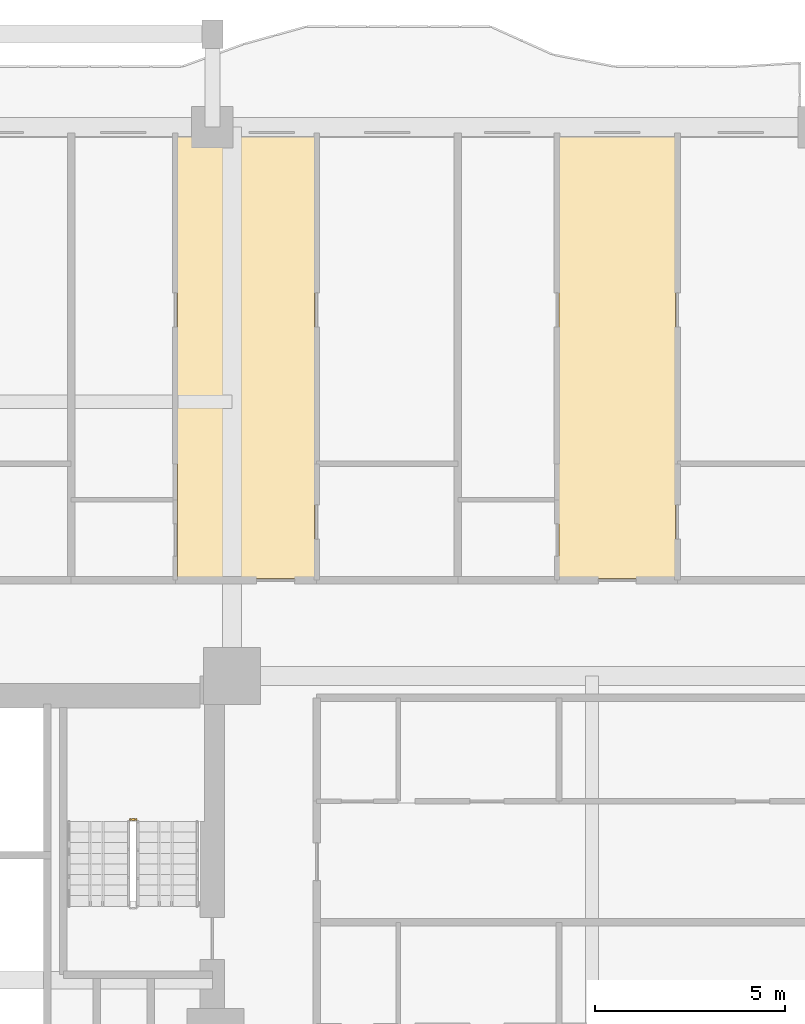
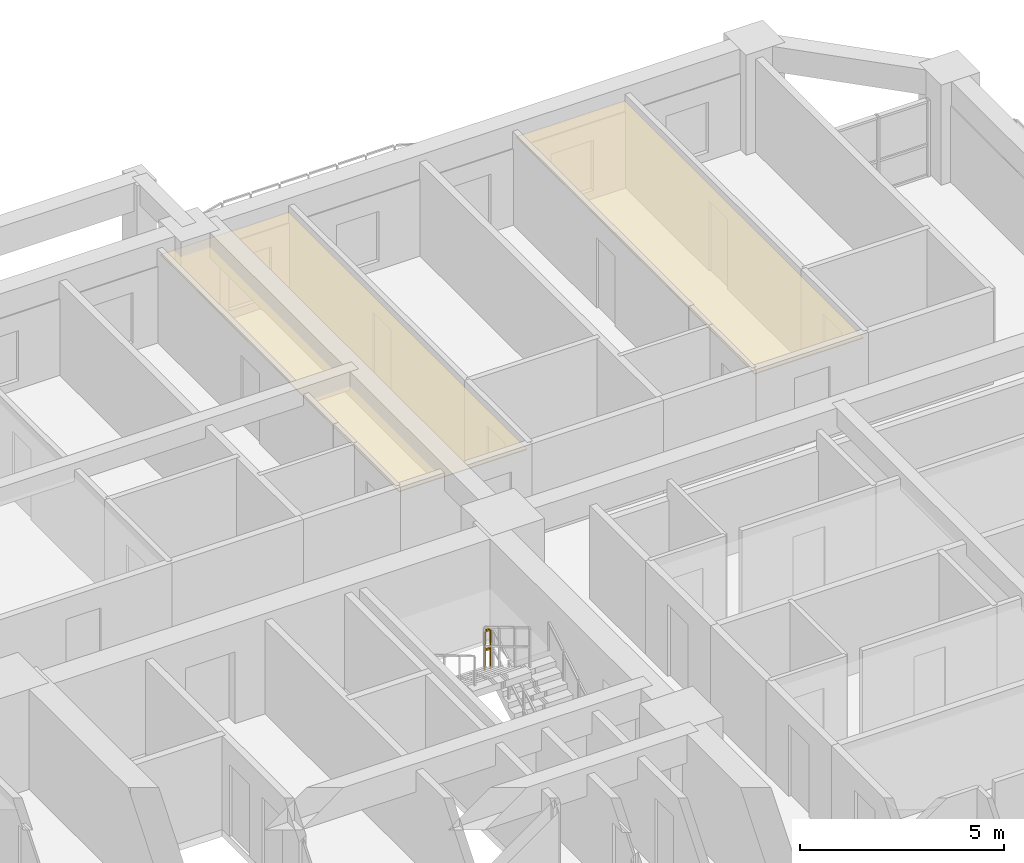
# One storey, part 27 of 27: 2 coverings, 1 railing.
"""IFC4 building model written with IfcOpenShell, lengths in metres."""

import ifcopenshell
import ifcopenshell.guid

model = None  # the IFC model being written
_history = None  # IfcOwnerHistory: only IFC2X3 demands one
_inside = {}  # id of a spatial element -> (the spatial element, [elements in it])
_under = {}  # id of a project, library or spatial element -> (it, [spatial elements below it])
_declared = {}  # id of a project -> (the project, [libraries it declares])
_typed = {}  # id of a type object -> (the type object, [elements of that type])
_made_of = {}  # id of a material, layer set ... -> (it, [elements and type objects made of it])


def new_model(schema):
    """Start an empty IFC model of exactly this schema.

    Asked for "IFC4X3", IfcOpenShell would pick the latest addendum, in which some entities
    have other attributes; the version numbers below select the first issue.
    IFC2X3 requires an IfcOwnerHistory on every rooted entity: one is made here for all.
    """
    global model, _history
    if schema == "IFC4X3":
        model = ifcopenshell.file(schema_version=(4, 3, 0, 0))
    else:
        model = ifcopenshell.file(schema=schema)
    _inside.clear()
    _under.clear()
    _declared.clear()
    _typed.clear()
    _made_of.clear()
    _history = None
    if model.schema == "IFC2X3":
        org = make("IfcOrganization", Name="unknown")
        user = make(
            "IfcPersonAndOrganization",
            ThePerson=make("IfcPerson", FamilyName="unknown"),
            TheOrganization=org,
        )
        app = make(
            "IfcApplication",
            ApplicationDeveloper=org,
            Version="unknown",
            ApplicationFullName="unknown",
            ApplicationIdentifier="unknown",
        )
        _history = make(
            "IfcOwnerHistory",
            OwningUser=user,
            OwningApplication=app,
            ChangeAction="ADDED",
            CreationDate=0,
        )
    return model


def make(cls, **values):
    """One entity of the class cls with the attributes given. An attribute that is None is left unset."""
    return model.create_entity(
        cls, **{name: value for name, value in values.items() if value is not None}
    )


def rooted(cls, **values):
    """An entity with a GlobalId (a new one), such as an element, a storey or a relation."""
    return make(cls, GlobalId=ifcopenshell.guid.new(), OwnerHistory=_history, **values)


def si_unit(unit_type, name, prefix=None):
    """IfcSIUnit, for example si_unit("LENGTHUNIT", "METRE", prefix="MILLI")."""
    return make("IfcSIUnit", UnitType=unit_type, Prefix=prefix, Name=name)


def assignment(units):
    """IfcUnitAssignment: the units of a project."""
    return None if units is None else make("IfcUnitAssignment", Units=units)


def point(xyz):
    """IfcCartesianPoint."""
    return None if xyz is None else make("IfcCartesianPoint", Coordinates=xyz)


def direction(xyz):
    """IfcDirection."""
    return None if xyz is None else make("IfcDirection", DirectionRatios=xyz)


def frame(location, z_axis=None, x_axis=None):
    """IfcAxis2Placement3D, a coordinate frame: its origin and axes. An axis left out is left unset."""
    return make(
        "IfcAxis2Placement3D",
        Location=point(location),
        Axis=direction(z_axis),
        RefDirection=direction(x_axis),
    )


def frame_2d(location, x_axis=None):
    """IfcAxis2Placement2D, a coordinate frame in the plane: its origin and x axis."""
    return make(
        "IfcAxis2Placement2D", Location=point(location), RefDirection=direction(x_axis)
    )


def origin():
    """The frame at (0, 0, 0) with its axes left unset."""
    return frame((0.0, 0.0, 0.0))


def origin_2d():
    """The frame at (0, 0) in the plane with its x axis left unset."""
    return frame_2d((0.0, 0.0))


def place(relative_to, where):
    """IfcLocalPlacement: puts the frame where relative to a parent placement (None: the world)."""
    return make(
        "IfcLocalPlacement", PlacementRelTo=relative_to, RelativePlacement=where
    )


def context(
    kind, dimensions, precision=None, world=None, true_north=None, identifier=None
):
    """IfcGeometricRepresentationContext, for example the 3D "Model" context."""
    return make(
        "IfcGeometricRepresentationContext",
        ContextIdentifier=identifier,
        ContextType=kind,
        CoordinateSpaceDimension=dimensions,
        Precision=precision,
        WorldCoordinateSystem=world,
        TrueNorth=true_north,
    )


def subcontext(parent, identifier, kind, view, scale=None):
    """IfcGeometricRepresentationSubContext, for example "Body" below "Model"."""
    return make(
        "IfcGeometricRepresentationSubContext",
        ContextIdentifier=identifier,
        ContextType=kind,
        ParentContext=parent,
        TargetScale=scale,
        TargetView=view,
    )


def project(units=None, contexts=None):
    """IfcProject with its units and contexts."""
    return rooted(
        "IfcProject",
        Name="project",
        RepresentationContexts=contexts,
        UnitsInContext=assignment(units),
    )


def spatial(cls, under=None, at=None, **own):
    """A site, building, storey or space (cls), placed at a placement, below another one or the project."""
    s = rooted(cls, ObjectPlacement=at, **own)
    if under is not None:
        _under.setdefault(under.id(), (under, []))[1].append(s)
    return s


def polyline(points):
    """IfcPolyline through the points."""
    return make("IfcPolyline", Points=[point(p) for p in points])


def profile(cls, at=None, kind="AREA", **sizes):
    """A parametric profile (cls). Its sizes go by their IFC names, for example OverallWidth=200.0."""
    return make(cls, ProfileType=kind, Position=at, **sizes)


def rectangle(**sizes):
    """IfcRectangleProfileDef."""
    return profile("IfcRectangleProfileDef", **sizes)


def outline(outer, holes=None, kind="AREA"):
    """IfcArbitraryClosedProfileDef: a profile drawn as a closed curve; with holes, ...WithVoids."""
    if holes is None:
        return make("IfcArbitraryClosedProfileDef", ProfileType=kind, OuterCurve=outer)
    return make(
        "IfcArbitraryProfileDefWithVoids",
        ProfileType=kind,
        OuterCurve=outer,
        InnerCurves=holes,
    )


def extrude(swept, where, along, depth):
    """IfcExtrudedAreaSolid: the profile swept, set in the frame where, extruded along a direction by depth."""
    return make(
        "IfcExtrudedAreaSolid",
        SweptArea=swept,
        Position=where,
        ExtrudedDirection=direction(along),
        Depth=depth,
    )


def shape(context_of_items, identifier, shape_type, items):
    """IfcShapeRepresentation: the items that make up one representation, for example the "Body"."""
    return make(
        "IfcShapeRepresentation",
        ContextOfItems=context_of_items,
        RepresentationIdentifier=identifier,
        RepresentationType=shape_type,
        Items=items,
    )


def material(Name=None, Category=None):
    """IfcMaterial."""
    return make("IfcMaterial", Name=Name, Category=Category)


def layer(
    of_material, thickness, ventilated=None, Name=None, Category=None, Priority=None
):
    """IfcMaterialLayer: one layer of a wall or slab, of a material (None: an air gap)."""
    return make(
        "IfcMaterialLayer",
        Material=of_material,
        LayerThickness=thickness,
        IsVentilated=ventilated,
        Name=Name,
        Category=Category,
        Priority=Priority,
    )


def layer_set(layers, Name=None):
    """IfcMaterialLayerSet."""
    return make("IfcMaterialLayerSet", MaterialLayers=layers, LayerSetName=Name)


def made_of(thing, what):
    """Note that an element or type object is made of a material, layer set ...; save() writes the relation."""
    if what is not None:
        _made_of.setdefault(what.id(), (what, []))[1].append(thing)
    return thing


def type_object(cls, material=None, **own):
    """A type object (cls), such as IfcWallType, which elements share."""
    return made_of(rooted(cls, **own), material)


def element(
    cls,
    number,
    at=None,
    inside=None,
    cuts=None,
    type_object=None,
    material=None,
    context=None,
    identifier="Body",
    shape_type=None,
    held_by="IfcProductDefinitionShape",
    body=None,
    shapes=None,
    **own,
):
    """One element of the class cls, such as IfcWall. Its Tag is "e" and its number.

    at: its placement. inside: the storey or other place that contains it. cuts: it is an
    opening in that element (IfcRelVoidsElement). A single representation is given by context,
    identifier, shape_type and body (its items); several are given by shapes. held_by: the class
    of the entity that holds the representations. save() writes the other relations.
    """
    e = rooted(cls, Tag="e%d" % number, ObjectPlacement=at, **own)
    if body is not None:
        shapes = [shape(context, identifier, shape_type, body)]
    if shapes is not None:
        e.Representation = make(held_by, Representations=shapes)
    if inside is not None:
        _inside.setdefault(inside.id(), (inside, []))[1].append(e)
    if cuts is not None:
        rooted(
            "IfcRelVoidsElement", RelatingBuildingElement=cuts, RelatedOpeningElement=e
        )
    if type_object is not None:
        _typed.setdefault(type_object.id(), (type_object, []))[1].append(e)
    return made_of(e, material)


def aggregate(whole, parts):
    """IfcRelAggregates: a whole, such as a stair, and the parts it consists of."""
    return rooted("IfcRelAggregates", RelatingObject=whole, RelatedObjects=parts)


def save(model, path):
    """Write the relations noted so far, then the file.

    IfcRelAggregates (storeys below a building ...), IfcRelContainedInSpatialStructure (elements
    in a storey), IfcRelDefinesByType, IfcRelAssociatesMaterial and IfcRelDeclares: one each for
    every whole, place, type object, material and project.
    """
    for whole, parts in _under.values():
        aggregate(whole, parts)
    for where, things in _inside.values():
        rooted(
            "IfcRelContainedInSpatialStructure",
            RelatedElements=things,
            RelatingStructure=where,
        )
    for kind, things in _typed.values():
        rooted("IfcRelDefinesByType", RelatedObjects=things, RelatingType=kind)
    for what, things in _made_of.values():
        rooted("IfcRelAssociatesMaterial", RelatedObjects=things, RelatingMaterial=what)
    for by, libraries in _declared.values():
        rooted("IfcRelDeclares", RelatingContext=by, RelatedDefinitions=libraries)
    model.write(path)


model = new_model("IFC4")

# Units and contexts
model_context = context("Model", 3, precision=1e-05, world=origin(), true_north=direction((0.0, 1.0)))
body_context = subcontext(model_context, "Body", "Model", "MODEL_VIEW")
ifc_project = project(units=[si_unit("LENGTHUNIT", "METRE"), si_unit("AREAUNIT", "SQUARE_METRE"), si_unit("VOLUMEUNIT", "CUBIC_METRE"), si_unit("PLANEANGLEUNIT", "RADIAN"), si_unit("MASSUNIT", "GRAM", prefix="KILO")], contexts=[model_context])

# Site, building, storey
site_placement = place(None, origin())
site = spatial("IfcSite", under=ifc_project, at=site_placement, CompositionType="ELEMENT")
building_placement = place(site_placement, origin())
building = spatial("IfcBuilding", under=site, at=building_placement, Name="Saelheon Loggia Tower", CompositionType="ELEMENT")
storey_placement = place(building_placement, frame((0.0, 0.0, 43.39990234375)))
storey = spatial("IfcBuildingStorey", under=building, at=storey_placement, Name="L13", CompositionType="ELEMENT", Elevation=43.39990234375)

# Coverings
ifc_material_1 = material(Name="Mineral-Fibre Acoustic Ceiling Board", Category="gypsum")
ifc_layer = layer(ifc_material_1, 0.02490234375)
ifc_layer_set = layer_set([ifc_layer], Name="Mineral-Fibre Acoustic Ceiling Board")
covering_type = type_object("IfcCoveringType", Name="Cov_Ceiling_Acoustic", PredefinedType="CEILING", material=ifc_layer_set)
covering_1_placement = place(storey_placement, frame((0.0, 0.0, 2.53515625)))
element("IfcCovering", 1, at=covering_1_placement, inside=storey, type_object=covering_type, Name="L13 Acoustic Suspended Ceiling", PredefinedType="CEILING", context=body_context, shape_type="SweptSolid", body=[
    extrude(outline(polyline([(43.57470703125, 39.10009765625), (47.199462890625, 39.10009765625), (47.199462890625, 50.800048828125), (43.57470703125, 50.800048828125), (43.57470703125, 39.10009765625)])), origin(), (0.0, 0.0, 1.0), 0.02490234375),
])
covering_2_placement = place(storey_placement, frame((0.0, 0.0, 2.53515625)))
element("IfcCovering", 2, at=covering_2_placement, inside=storey, type_object=covering_type, Name="L13 Acoustic Suspended Ceiling", PredefinedType="CEILING", context=body_context, shape_type="SweptSolid", body=[
    extrude(outline(polyline([(53.6396484375, 39.10009765625), (56.7177734375, 39.10009765625), (56.7177734375, 50.800048828125), (53.6396484375, 50.800048828125), (53.6396484375, 39.10009765625)])), origin(), (0.0, 0.0, 1.0), 0.02490234375),
])

# Railing
ifc_material_2 = material(Name="Galvanised Steel S275 Stairwell Guardrail", Category="steel")
railing_type = type_object("IfcRailingType", Name="Guard_StairWell_RL_STG", PredefinedType="GUARDRAIL", material=ifc_material_2)
railing_placement = place(storey_placement, frame((42.489990234375, 32.739990234375, 1.5)))
element("IfcRailing", 3, at=railing_placement, inside=storey, type_object=railing_type, Name="L13 ST2 stair guard 2", PredefinedType="GUARDRAIL", context=body_context, shape_type="SweptSolid", body=[
    extrude(rectangle(XDim=0.048095703125, YDim=0.048095703125, at=origin_2d()), frame((-0.033203125, 0.0, 1.17578125), z_axis=(-1.0, 0.0, 0.0), x_axis=(0.0, -1.0, 0.0)), (0.0, 0.0, 1.0), 0.093505859375),
    extrude(rectangle(XDim=0.048095703125, YDim=0.048095703125, at=origin_2d()), frame((-0.033203125, 0.0, 0.60009765625), z_axis=(-1.0, 0.0, 0.0), x_axis=(0.0, -1.0, 0.0)), (0.0, 0.0, 1.0), 0.093505859375),
    extrude(rectangle(XDim=0.0419921875, YDim=0.0419921875, at=origin_2d()), origin(), (0.0, 0.0, 1.0), 1.14794921875),
    extrude(rectangle(XDim=0.0419921875, YDim=0.0419921875, at=origin_2d()), frame((-0.159912109375, 0.0, 0.0)), (0.0, 0.0, 1.0), 1.14794921875),
])

save(model, "model.ifc")
